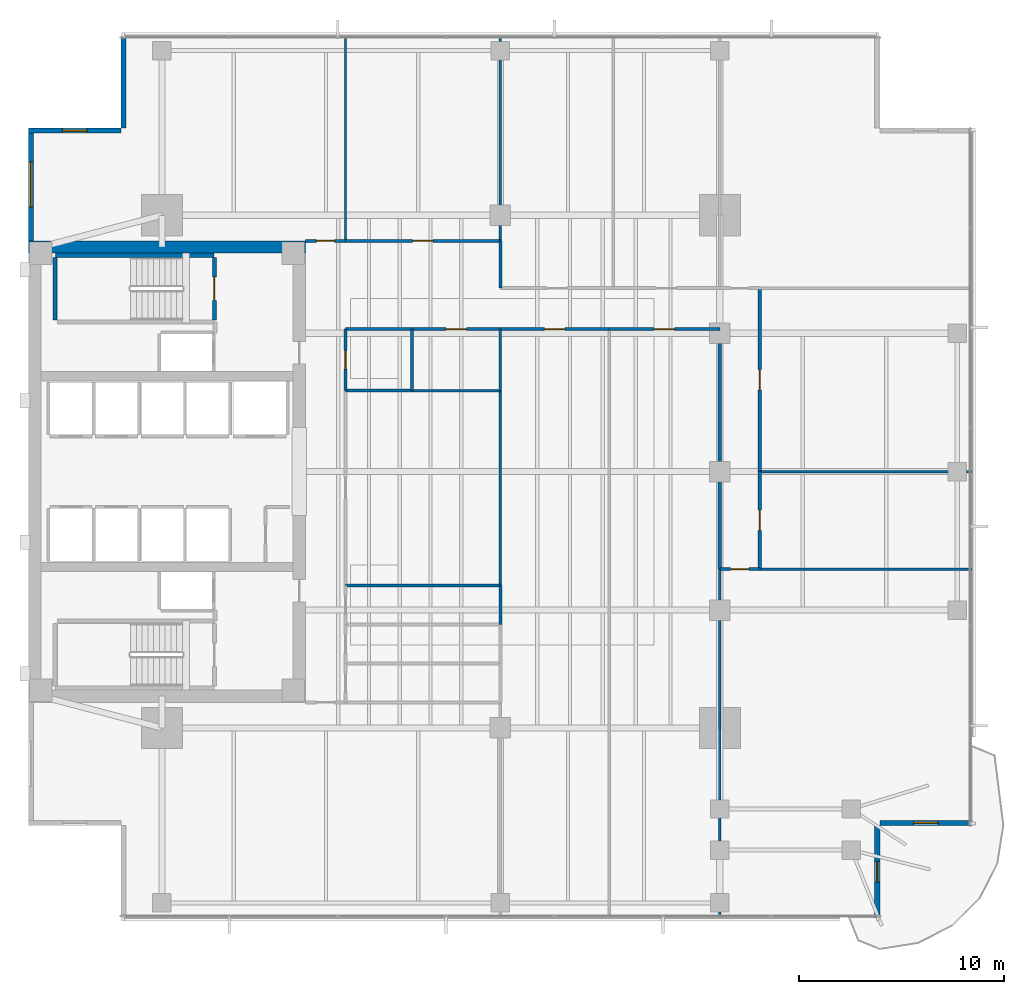
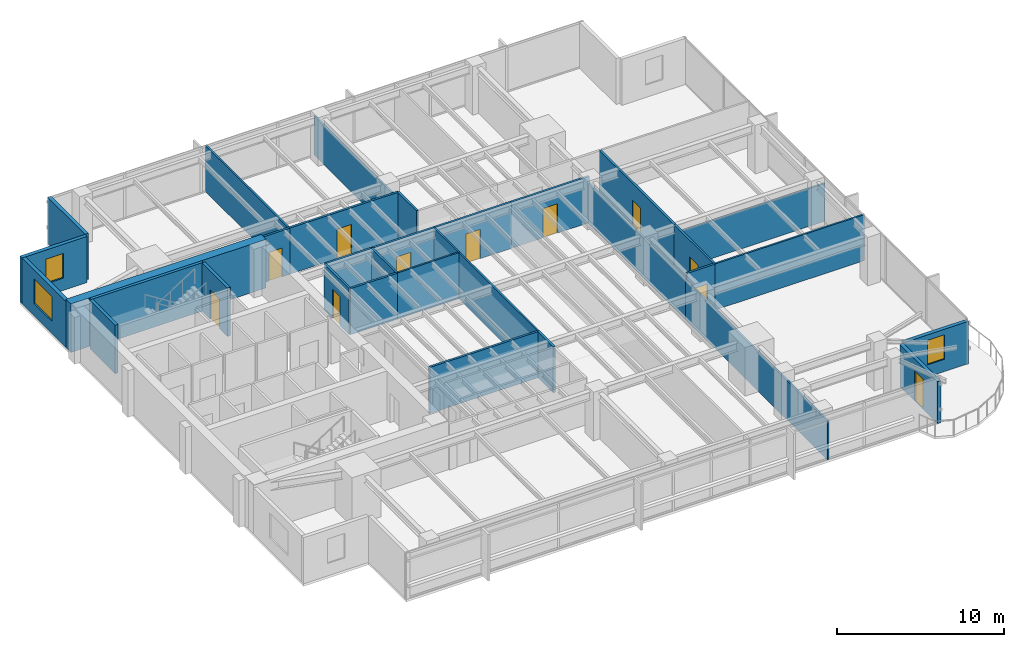
# One storey, part 9 of 14: 33 walls, 11 doors, 3 windows, 14 openings.
"""IFC4 building model written with IfcOpenShell, lengths in metres."""

from ifc_helpers import new_model, si_unit, direction, frame, frame_2d, origin, place, context, subcontext, project, spatial, rectangle, extrude, material, layer, layer_set, type_object, element, fill, save


model = new_model("IFC4")

# Units and contexts
model_context = context("Model", 3, precision=1e-05, world=origin(), true_north=direction((0.0, 1.0)))
body_context = subcontext(model_context, "Body", "Model", "MODEL_VIEW")
ifc_project = project(units=[si_unit("LENGTHUNIT", "METRE"), si_unit("AREAUNIT", "SQUARE_METRE"), si_unit("VOLUMEUNIT", "CUBIC_METRE"), si_unit("PLANEANGLEUNIT", "RADIAN"), si_unit("MASSUNIT", "GRAM", prefix="KILO")], contexts=[model_context])

# Site, building, storey
site_placement = place(None, origin())
site = spatial("IfcSite", under=ifc_project, at=site_placement, CompositionType="ELEMENT")
building_placement = place(site_placement, origin())
building = spatial("IfcBuilding", under=site, at=building_placement, Name="Kinhvarn Gate Tower", CompositionType="ELEMENT")
storey_placement = place(building_placement, frame((0.0, 0.0, 123.550048828125)))
storey = spatial("IfcBuildingStorey", under=building, at=storey_placement, Name="L32", CompositionType="ELEMENT", Elevation=123.550048828125)

# Wall
ifc_material_1 = material(Name="Concrete C60/75", Category="concrete")
ifc_layer_1 = layer(ifc_material_1, 0.60009765625)
ifc_layer_set_1 = layer_set([ifc_layer_1], Name="Concrete C60/75")
wall_type_1 = type_object("IfcWallType", Name="WL-CORE-600", PredefinedType="SHEAR", material=ifc_layer_set_1)
wall_1_placement = place(storey_placement, frame((4.5, 36.199951171875, 0.0), z_axis=(0.0, 0.0, 1.0), x_axis=(1.0, 0.0, 0.0)))
element("IfcWall", 1, at=wall_1_placement, inside=storey, type_object=wall_type_1, Name="Core North Shear Wall L32 600 mm", PredefinedType="SHEAR", context=body_context, shape_type="SweptSolid", body=[
    extrude(rectangle(XDim=13.5, YDim=0.60009765625, at=frame_2d((6.75, 0.0))), origin(), (0.0, 0.0, 1.0), 3.550048828125),
])

# Wall, opening, window
ifc_material_2 = material(Name="Fired architectural terracotta", Category="masonry")
ifc_layer_2 = layer(ifc_material_2, 0.25)
ifc_layer_set_2 = layer_set([ifc_layer_2], Name="Fired architectural terracotta")
wall_type_2 = type_object("IfcWallType", Name="WL-EXT-250", PredefinedType="SOLIDWALL", material=ifc_layer_set_2)
wall_2_placement = place(storey_placement, frame((4.625, 42.0, 0.0), z_axis=(0.0, 0.0, 1.0), x_axis=(0.0, -1.0, 0.0)))
wall_2 = element("IfcWall", 2, at=wall_2_placement, inside=storey, type_object=wall_type_2, Name="Exterior Solidwall Wall EW-250 (L32 West-North)", PredefinedType="SOLIDWALL", context=body_context, shape_type="SweptSolid", body=[
    extrude(rectangle(XDim=5.5, YDim=0.25, at=frame_2d((2.75, 0.0))), origin(), (0.0, 0.0, 1.0), 3.369873046875),
])
opening_1_placement = place(wall_2_placement, frame((1.64990234375, 0.0, 0.89990234375)))
opening_1 = element("IfcOpeningElement", 3, at=opening_1_placement, cuts=wall_2, Name="Opening WN-01", PredefinedType="OPENING", context=body_context, shape_type="SweptSolid", body=[
    extrude(rectangle(XDim=2.199951171875, YDim=1.800048828125, at=frame_2d((1.10009765625, 0.89990234375))), frame((0.0, 0.135009765625, 0.0), z_axis=(0.0, -1.0, 0.0), x_axis=(1.0, 0.0, 0.0)), (0.0, 0.0, 1.0), 0.27001953125),
])
ifc_material_3 = material(Name="Clear low-e double glazing", Category="glass")
window_type_1 = type_object("IfcWindowType", Name="WIN-RIB-2200", PartitioningType="SINGLE_PANEL", PredefinedType="WINDOW", material=ifc_material_3)
window_1_placement = place(opening_1_placement, origin())
window_1 = element("IfcWindow", 4, at=window_1_placement, inside=storey, type_object=window_type_1, Name="West Flank Double-Glazed Ribbon Window 2200x1800 mm (L32)", OverallHeight=1.800048828125, OverallWidth=2.199951171875, PartitioningType="SINGLE_PANEL", PredefinedType="WINDOW", context=body_context, shape_type="SweptSolid", body=[
    extrude(rectangle(XDim=2.199951171875, YDim=1.800048828125, at=frame_2d((1.10009765625, 0.89990234375))), frame((0.0, 0.030029296875, 0.0), z_axis=(0.0, -1.0, 0.0), x_axis=(1.0, 0.0, 0.0)), (0.0, 0.0, 1.0), 0.06005859375),
])
fill(opening_1, window_1)

# Wall, opening, door
wall_3_placement = place(storey_placement, frame((45.875, 3.5, 0.0), z_axis=(0.0, 0.0, 1.0), x_axis=(0.0, 1.0, 0.0)))
wall_3 = element("IfcWall", 5, at=wall_3_placement, inside=storey, type_object=wall_type_2, Name="Exterior Solidwall Wall EW-250 (L32 SE-Notch-Door)", PredefinedType="SOLIDWALL", context=body_context, shape_type="SweptSolid", body=[
    extrude(rectangle(XDim=4.5, YDim=0.25, at=frame_2d((2.25, 0.0))), origin(), (0.0, 0.0, 1.0), 3.070068359375),
])
opening_2_placement = place(wall_3_placement, frame((1.75, 0.0, 0.0)))
opening_2 = element("IfcOpeningElement", 6, at=opening_2_placement, cuts=wall_3, Name="Opening BD-01", PredefinedType="OPENING", context=body_context, shape_type="SweptSolid", body=[
    extrude(rectangle(XDim=1.0, YDim=2.199951171875, at=frame_2d((0.5, 1.10009765625))), frame((0.0, 0.135009765625, 0.0), z_axis=(0.0, -1.0, 0.0), x_axis=(1.0, 0.0, 0.0)), (0.0, 0.0, 1.0), 0.27001953125),
])
door_type_1 = type_object("IfcDoorType", Name="DR-BAL-1000", OperationType="NOTDEFINED", PredefinedType="DOOR", material=ifc_material_3)
door_1_placement = place(opening_2_placement, frame((1.0, 0.0, 0.0), z_axis=(0.0, 0.0, 1.0), x_axis=(-1.0, 0.0, 0.0)))
door_1 = element("IfcDoor", 7, at=door_1_placement, inside=storey, type_object=door_type_1, Name="S-Carve Balcony Door BD-01 (L32)", OperationType="SINGLE_SWING_LEFT", OverallHeight=2.199951171875, OverallWidth=1.0, PredefinedType="DOOR", context=body_context, shape_type="SweptSolid", body=[
    extrude(rectangle(XDim=1.0, YDim=2.199951171875, at=frame_2d((0.5, 1.10009765625))), frame((0.0, 0.02490234375, 0.0), z_axis=(0.0, -1.0, 0.0), x_axis=(1.0, 0.0, 0.0)), (0.0, 0.0, 1.0), 0.050048828125),
])
fill(opening_2, door_1)

# Wall, opening, window
wall_4_placement = place(storey_placement, frame((46.0, 8.125, 0.0), z_axis=(0.0, 0.0, 1.0), x_axis=(1.0, 0.0, 0.0)))
wall_4 = element("IfcWall", 8, at=wall_4_placement, inside=storey, type_object=wall_type_2, Name="Exterior Solidwall Wall EW-250 (L32 SE-Notch-Win)", PredefinedType="SOLIDWALL", context=body_context, shape_type="SweptSolid", body=[
    extrude(rectangle(XDim=4.5, YDim=0.25, at=frame_2d((2.25, 0.0))), origin(), (0.0, 0.0, 1.0), 3.099853515625),
])
opening_3_placement = place(wall_4_placement, frame((1.64990234375, 0.0, 0.89990234375)))
opening_3 = element("IfcOpeningElement", 9, at=opening_3_placement, cuts=wall_4, Name="Opening WN-02", PredefinedType="OPENING", context=body_context, shape_type="SweptSolid", body=[
    extrude(rectangle(XDim=1.199951171875, YDim=1.800048828125, at=frame_2d((0.60009765625, 0.89990234375))), frame((0.0, 0.135009765625, 0.0), z_axis=(0.0, -1.0, 0.0), x_axis=(1.0, 0.0, 0.0)), (0.0, 0.0, 1.0), 0.27001953125),
])
window_type_2 = type_object("IfcWindowType", Name="WIN-NTC-1200", PartitioningType="SINGLE_PANEL", PredefinedType="WINDOW", material=ifc_material_3)
window_2_placement = place(opening_3_placement, origin())
window_2 = element("IfcWindow", 10, at=window_2_placement, inside=storey, type_object=window_type_2, Name="Recessed Corner Notch Punched Window 1200x1800 mm (L32)", OverallHeight=1.800048828125, OverallWidth=1.199951171875, PartitioningType="SINGLE_PANEL", PredefinedType="WINDOW", context=body_context, shape_type="SweptSolid", body=[
    extrude(rectangle(XDim=1.199951171875, YDim=1.800048828125, at=frame_2d((0.60009765625, 0.89990234375))), frame((0.0, 0.030029296875, 0.0), z_axis=(0.0, -1.0, 0.0), x_axis=(1.0, 0.0, 0.0)), (0.0, 0.0, 1.0), 0.06005859375),
])
fill(opening_3, window_2)

# Wall
wall_5_placement = place(storey_placement, frame((9.125, 46.5, 0.0), z_axis=(0.0, 0.0, 1.0), x_axis=(0.0, -1.0, 0.0)))
element("IfcWall", 11, at=wall_5_placement, inside=storey, type_object=wall_type_2, Name="Exterior Solidwall Wall EW-250 (L32 NW-Notch-1)", PredefinedType="SOLIDWALL", context=body_context, shape_type="SweptSolid", body=[
    extrude(rectangle(XDim=4.5, YDim=0.25, at=frame_2d((2.25, 0.0))), origin(), (0.0, 0.0, 1.0), 3.369873046875),
])

# Wall, opening, window
wall_6_placement = place(storey_placement, frame((9.0, 41.875, 0.0), z_axis=(0.0, 0.0, 1.0), x_axis=(-1.0, 0.0, 0.0)))
wall_6 = element("IfcWall", 12, at=wall_6_placement, inside=storey, type_object=wall_type_2, Name="Exterior Solidwall Wall EW-250 (L32 NW-Notch-2)", PredefinedType="SOLIDWALL", context=body_context, shape_type="SweptSolid", body=[
    extrude(rectangle(XDim=4.5, YDim=0.25, at=frame_2d((2.25, 0.0))), origin(), (0.0, 0.0, 1.0), 3.369873046875),
])
opening_4_placement = place(wall_6_placement, frame((1.64990234375, 0.0, 0.89990234375)))
opening_4 = element("IfcOpeningElement", 13, at=opening_4_placement, cuts=wall_6, Name="Opening WN-02", PredefinedType="OPENING", context=body_context, shape_type="SweptSolid", body=[
    extrude(rectangle(XDim=1.199951171875, YDim=1.800048828125, at=frame_2d((0.60009765625, 0.89990234375))), frame((0.0, 0.135009765625, 0.0), z_axis=(0.0, -1.0, 0.0), x_axis=(1.0, 0.0, 0.0)), (0.0, 0.0, 1.0), 0.27001953125),
])
window_3_placement = place(opening_4_placement, origin())
window_3 = element("IfcWindow", 14, at=window_3_placement, inside=storey, type_object=window_type_2, Name="Recessed Corner Notch Punched Window 1200x1800 mm (L32)", OverallHeight=1.800048828125, OverallWidth=1.199951171875, PartitioningType="SINGLE_PANEL", PredefinedType="WINDOW", context=body_context, shape_type="SweptSolid", body=[
    extrude(rectangle(XDim=1.199951171875, YDim=1.800048828125, at=frame_2d((0.60009765625, 0.89990234375))), frame((0.0, 0.030029296875, 0.0), z_axis=(0.0, -1.0, 0.0), x_axis=(1.0, 0.0, 0.0)), (0.0, 0.0, 1.0), 0.06005859375),
])
fill(opening_4, window_3)

# Walls
ifc_material_4 = material(Name="Gypsum acoustic partition board")
ifc_layer_3 = layer(ifc_material_4, 0.14990234375)
ifc_layer_set_3 = layer_set([ifc_layer_3], Name="Gypsum acoustic partition board")
wall_type_3 = type_object("IfcWallType", Name="WL-PLM-150", PredefinedType="PLUMBINGWALL", material=ifc_layer_set_3)
wall_7_placement = place(storey_placement, frame((23.199951171875, 29.199951171875, 0.0), z_axis=(0.0, 0.0, 1.0), x_axis=(0.0, 1.0, 0.0)))
element("IfcWall", 15, at=wall_7_placement, inside=storey, type_object=wall_type_3, Name="Interior Partition PLW-150 (L32)", PredefinedType="PLUMBINGWALL", context=body_context, shape_type="SweptSolid", body=[
    extrude(rectangle(XDim=3.0, YDim=0.14990234375, at=frame_2d((1.5, 0.0))), origin(), (0.0, 0.0, 1.0), 3.369873046875),
])
wall_8_placement = place(storey_placement, frame((19.949951171875, 29.199951171875, 0.0), z_axis=(0.0, 0.0, 1.0), x_axis=(1.0, 0.0, 0.0)))
element("IfcWall", 16, at=wall_8_placement, inside=storey, type_object=wall_type_3, Name="Interior Partition PLW-150 (L32)", PredefinedType="PLUMBINGWALL", context=body_context, shape_type="SweptSolid", body=[
    extrude(rectangle(XDim=3.25, YDim=0.14990234375, at=frame_2d((1.625, 0.0))), origin(), (0.0, 0.0, 1.0), 3.369873046875),
])
wall_9_placement = place(storey_placement, frame((19.949951171875, 19.699951171875, 0.0), z_axis=(0.0, 0.0, 1.0), x_axis=(1.0, 0.0, 0.0)))
element("IfcWall", 17, at=wall_9_placement, inside=storey, type_object=wall_type_3, Name="Interior Partition PLW-150 (L32)", PredefinedType="PLUMBINGWALL", context=body_context, shape_type="SweptSolid", body=[
    extrude(rectangle(XDim=7.550048828125, YDim=0.14990234375, at=frame_2d((3.77490234375, 0.0))), origin(), (0.0, 0.0, 1.0), 3.369873046875),
])
wall_10_placement = place(storey_placement, frame((27.5, 17.800048828125, 0.0), z_axis=(0.0, 0.0, 1.0), x_axis=(0.0, 1.0, 0.0)))
element("IfcWall", 18, at=wall_10_placement, inside=storey, type_object=wall_type_3, Name="Interior Partition PLW-150 (L32)", PredefinedType="PLUMBINGWALL", context=body_context, shape_type="SweptSolid", body=[
    extrude(rectangle(XDim=1.89990234375, YDim=0.14990234375, at=frame_2d((0.949951171875, 0.0))), origin(), (0.0, 0.0, 1.0), 3.369873046875),
])

# Wall, opening, door
ifc_layer_4 = layer(ifc_material_4, 0.14990234375)
ifc_layer_set_4 = layer_set([ifc_layer_4], Name="Gypsum acoustic partition board")
wall_type_4 = type_object("IfcWallType", Name="WL-PLM-150F", PredefinedType="PLUMBINGWALL", material=ifc_layer_set_4)
wall_11_placement = place(storey_placement, frame((19.949951171875, 29.199951171875, 0.0), z_axis=(0.0, 0.0, 1.0), x_axis=(0.0, 1.0, 0.0)))
wall_11 = element("IfcWall", 19, at=wall_11_placement, inside=storey, type_object=wall_type_4, Name="Interior Partition PLW-150F (L32)", PredefinedType="PLUMBINGWALL", context=body_context, shape_type="SweptSolid", body=[
    extrude(rectangle(XDim=3.0, YDim=0.14990234375, at=frame_2d((1.5, 0.0))), origin(), (0.0, 0.0, 1.0), 3.369873046875),
])
opening_5_placement = place(wall_11_placement, frame((1.050048828125, 0.0, 0.0)))
opening_5 = element("IfcOpeningElement", 20, at=opening_5_placement, cuts=wall_11, Name="Opening FD-04", PredefinedType="OPENING", context=body_context, shape_type="SweptSolid", body=[
    extrude(rectangle(XDim=0.89990234375, YDim=2.10009765625, at=frame_2d((0.449951171875, 1.050048828125))), frame((0.0, 0.0849609375, 0.0), z_axis=(0.0, -1.0, 0.0), x_axis=(1.0, 0.0, 0.0)), (0.0, 0.0, 1.0), 0.169921875),
])
ifc_material_5 = material(Name="Anodised aluminium AW-6063", Category="aluminium")
door_type_2 = type_object("IfcDoorType", Name="DR-FD-900", OperationType="NOTDEFINED", PredefinedType="DOOR", material=ifc_material_5)
door_2_placement = place(opening_5_placement, origin())
door_2 = element("IfcDoor", 21, at=door_2_placement, inside=storey, type_object=door_type_2, Name="Rated Riser & Service Closet Fire Door 900x2100 mm (L32)", OperationType="SINGLE_SWING_RIGHT", OverallHeight=2.10009765625, OverallWidth=0.89990234375, PredefinedType="DOOR", context=body_context, shape_type="SweptSolid", body=[
    extrude(rectangle(XDim=0.89990234375, YDim=2.10009765625, at=frame_2d((0.449951171875, 1.050048828125))), frame((0.0, 0.02490234375, 0.0), z_axis=(0.0, -1.0, 0.0), x_axis=(1.0, 0.0, 0.0)), (0.0, 0.0, 1.0), 0.050048828125),
])
fill(opening_5, door_2)

# Walls
wall_12_placement = place(storey_placement, frame((19.949951171875, 32.199951171875, 0.0), z_axis=(0.0, 0.0, 1.0), x_axis=(1.0, 0.0, 0.0)))
element("IfcWall", 22, at=wall_12_placement, inside=storey, type_object=wall_type_4, Name="Interior Partition PLW-150F (L32)", PredefinedType="PLUMBINGWALL", context=body_context, shape_type="SweptSolid", body=[
    extrude(rectangle(XDim=3.25, YDim=0.14990234375, at=frame_2d((1.625, 0.0))), origin(), (0.0, 0.0, 1.0), 3.369873046875),
])
ifc_layer_5 = layer(ifc_material_4, 0.1201171875)
ifc_layer_set_5 = layer_set([ifc_layer_5], Name="Gypsum acoustic partition board")
wall_type_5 = type_object("IfcWallType", Name="WL-PRT-120", PredefinedType="PARTITIONING", material=ifc_layer_set_5)
wall_13_placement = place(storey_placement, frame((23.199951171875, 29.199951171875, 0.0), z_axis=(0.0, 0.0, 1.0), x_axis=(1.0, 0.0, 0.0)))
element("IfcWall", 23, at=wall_13_placement, inside=storey, type_object=wall_type_5, Name="Interior Partition PW-120 (L32)", PredefinedType="PARTITIONING", context=body_context, shape_type="SweptSolid", body=[
    extrude(rectangle(XDim=4.300048828125, YDim=0.1201171875, at=frame_2d((2.14990234375, 0.0))), origin(), (0.0, 0.0, 1.0), 3.369873046875),
])
wall_14_placement = place(storey_placement, frame((27.5, 29.199951171875, 0.0), z_axis=(0.0, 0.0, 1.0), x_axis=(0.0, 1.0, 0.0)))
element("IfcWall", 24, at=wall_14_placement, inside=storey, type_object=wall_type_5, Name="Interior Partition PW-120 (L32)", PredefinedType="PARTITIONING", context=body_context, shape_type="SweptSolid", body=[
    extrude(rectangle(XDim=3.0, YDim=0.1201171875, at=frame_2d((1.5, 0.0))), origin(), (0.0, 0.0, 1.0), 3.369873046875),
])
wall_15_placement = place(storey_placement, frame((27.5, 19.699951171875, 0.0), z_axis=(0.0, 0.0, 1.0), x_axis=(0.0, 1.0, 0.0)))
element("IfcWall", 25, at=wall_15_placement, inside=storey, type_object=wall_type_5, Name="Interior Partition PW-120 (L32)", PredefinedType="PARTITIONING", context=body_context, shape_type="SweptSolid", body=[
    extrude(rectangle(XDim=9.5, YDim=0.1201171875, at=frame_2d((4.75, 0.0))), origin(), (0.0, 0.0, 1.0), 3.369873046875),
])
wall_16_placement = place(storey_placement, frame((38.199951171875, 3.510009765625, 0.0), z_axis=(0.0, 0.0, 1.0), x_axis=(0.0, 1.0, 0.0)))
element("IfcWall", 26, at=wall_16_placement, inside=storey, type_object=wall_type_5, Name="Interior Partition PW-120 (L32)", PredefinedType="PARTITIONING", context=body_context, shape_type="SweptSolid", body=[
    extrude(rectangle(XDim=16.989990234375, YDim=0.1201171875, at=frame_2d((8.4951171875, 0.0))), origin(), (0.0, 0.0, 1.0), 2.869873046875),
])
wall_17_placement = place(storey_placement, frame((19.949951171875, 36.5, 0.0), z_axis=(0.0, 0.0, 1.0), x_axis=(0.0, 1.0, 0.0)))
element("IfcWall", 27, at=wall_17_placement, inside=storey, type_object=wall_type_5, Name="Interior Partition PW-120 (L32)", PredefinedType="PARTITIONING", context=body_context, shape_type="SweptSolid", body=[
    extrude(rectangle(XDim=9.989990234375, YDim=0.1201171875, at=frame_2d((4.9951171875, 0.0))), origin(), (0.0, 0.0, 1.0), 3.369873046875),
])
wall_18_placement = place(storey_placement, frame((27.5, 36.5, 0.0), z_axis=(0.0, 0.0, 1.0), x_axis=(0.0, 1.0, 0.0)))
element("IfcWall", 28, at=wall_18_placement, inside=storey, type_object=wall_type_5, Name="Interior Partition PW-120 (L32)", PredefinedType="PARTITIONING", context=body_context, shape_type="SweptSolid", body=[
    extrude(rectangle(XDim=9.989990234375, YDim=0.1201171875, at=frame_2d((4.9951171875, 0.0))), origin(), (0.0, 0.0, 1.0), 2.869873046875),
])
wall_19_placement = place(storey_placement, frame((40.14990234375, 20.5, 0.0), z_axis=(0.0, 0.0, 1.0), x_axis=(1.0, 0.0, 0.0)))
element("IfcWall", 29, at=wall_19_placement, inside=storey, type_object=wall_type_5, Name="Interior Partition PW-120 (L32)", PredefinedType="PARTITIONING", context=body_context, shape_type="SweptSolid", body=[
    extrude(rectangle(XDim=10.340087890625, YDim=0.1201171875, at=frame_2d((5.169921875, 0.0))), origin(), (0.0, 0.0, 1.0), 3.369873046875),
])
wall_20_placement = place(storey_placement, frame((40.14990234375, 25.25, 0.0), z_axis=(0.0, 0.0, 1.0), x_axis=(1.0, 0.0, 0.0)))
element("IfcWall", 30, at=wall_20_placement, inside=storey, type_object=wall_type_5, Name="Interior Partition PW-120 (L32)", PredefinedType="PARTITIONING", context=body_context, shape_type="SweptSolid", body=[
    extrude(rectangle(XDim=10.340087890625, YDim=0.1201171875, at=frame_2d((5.169921875, 0.0))), origin(), (0.0, 0.0, 1.0), 2.77001953125),
])

# Wall, opening, door
ifc_layer_6 = layer(ifc_material_4, 0.14990234375)
ifc_layer_set_6 = layer_set([ifc_layer_6], Name="Gypsum acoustic partition board")
wall_type_6 = type_object("IfcWallType", Name="WL-PRT-150F", PredefinedType="PARTITIONING", material=ifc_layer_set_6)
wall_21_placement = place(storey_placement, frame((18.0, 36.5, 0.0), z_axis=(0.0, 0.0, 1.0), x_axis=(1.0, 0.0, 0.0)))
wall_21 = element("IfcWall", 31, at=wall_21_placement, inside=storey, type_object=wall_type_6, Name="Interior Partition PW-150F (L32)", PredefinedType="PARTITIONING", context=body_context, shape_type="SweptSolid", body=[
    extrude(rectangle(XDim=1.949951171875, YDim=0.14990234375, at=frame_2d((0.97509765625, 0.0))), origin(), (0.0, 0.0, 1.0), 3.369873046875),
])
opening_6_placement = place(wall_21_placement, frame((0.52490234375, 0.0, 0.0)))
opening_6 = element("IfcOpeningElement", 32, at=opening_6_placement, cuts=wall_21, Name="Opening ID-03", PredefinedType="OPENING", context=body_context, shape_type="SweptSolid", body=[
    extrude(rectangle(XDim=0.89990234375, YDim=2.10009765625, at=frame_2d((0.449951171875, 1.050048828125))), frame((0.0, 0.0849609375, 0.0), z_axis=(0.0, -1.0, 0.0), x_axis=(1.0, 0.0, 0.0)), (0.0, 0.0, 1.0), 0.169921875),
])
door_type_3 = type_object("IfcDoorType", Name="DR-INT-900", OperationType="NOTDEFINED", PredefinedType="DOOR", material=ifc_material_5)
door_3_placement = place(opening_6_placement, origin())
door_3 = element("IfcDoor", 33, at=door_3_placement, inside=storey, type_object=door_type_3, Name="Cellular Office & Restroom Door 900x2100 mm (L32)", OperationType="SINGLE_SWING_RIGHT", OverallHeight=2.10009765625, OverallWidth=0.89990234375, PredefinedType="DOOR", context=body_context, shape_type="SweptSolid", body=[
    extrude(rectangle(XDim=0.89990234375, YDim=2.10009765625, at=frame_2d((0.449951171875, 1.050048828125))), frame((0.0, 0.02490234375, 0.0), z_axis=(0.0, -1.0, 0.0), x_axis=(1.0, 0.0, 0.0)), (0.0, 0.0, 1.0), 0.050048828125),
])
fill(opening_6, door_3)

wall_22_placement = place(storey_placement, frame((23.199951171875, 32.199951171875, 0.0), z_axis=(0.0, 0.0, 1.0), x_axis=(1.0, 0.0, 0.0)))
wall_22 = element("IfcWall", 34, at=wall_22_placement, inside=storey, type_object=wall_type_6, Name="Interior Partition PW-150F (L32)", PredefinedType="PARTITIONING", context=body_context, shape_type="SweptSolid", body=[
    extrude(rectangle(XDim=4.300048828125, YDim=0.14990234375, at=frame_2d((2.14990234375, 0.0))), origin(), (0.0, 0.0, 1.0), 3.369873046875),
])
opening_7_placement = place(wall_22_placement, frame((1.64990234375, 0.0, 0.0)))
opening_7 = element("IfcOpeningElement", 35, at=opening_7_placement, cuts=wall_22, Name="Opening ID-02", PredefinedType="OPENING", context=body_context, shape_type="SweptSolid", body=[
    extrude(rectangle(XDim=1.0, YDim=2.14990234375, at=frame_2d((0.5, 1.074951171875))), frame((0.0, 0.0849609375, 0.0), z_axis=(0.0, -1.0, 0.0), x_axis=(1.0, 0.0, 0.0)), (0.0, 0.0, 1.0), 0.169921875),
])
door_type_4 = type_object("IfcDoorType", Name="DR-INT-1000", OperationType="NOTDEFINED", PredefinedType="DOOR", material=ifc_material_5)
door_4_placement = place(opening_7_placement, origin())
door_4 = element("IfcDoor", 36, at=door_4_placement, inside=storey, type_object=door_type_4, Name="Standard Office & Meeting Room Door 1000x2150 mm (L32)", OperationType="SINGLE_SWING_LEFT", OverallHeight=2.14990234375, OverallWidth=1.0, PredefinedType="DOOR", context=body_context, shape_type="SweptSolid", body=[
    extrude(rectangle(XDim=1.0, YDim=2.14990234375, at=frame_2d((0.5, 1.074951171875))), frame((0.0, 0.02490234375, 0.0), z_axis=(0.0, -1.0, 0.0), x_axis=(1.0, 0.0, 0.0)), (0.0, 0.0, 1.0), 0.050048828125),
])
fill(opening_7, door_4)

wall_23_placement = place(storey_placement, frame((27.5, 32.199951171875, 0.0), z_axis=(0.0, 0.0, 1.0), x_axis=(1.0, 0.0, 0.0)))
wall_23 = element("IfcWall", 37, at=wall_23_placement, inside=storey, type_object=wall_type_6, Name="Interior Partition PW-150F (L32)", PredefinedType="PARTITIONING", context=body_context, shape_type="SweptSolid", body=[
    extrude(rectangle(XDim=5.300048828125, YDim=0.14990234375, at=frame_2d((2.64990234375, 0.0))), origin(), (0.0, 0.0, 1.0), 3.369873046875),
])
opening_8_placement = place(wall_23_placement, frame((2.14990234375, 0.0, 0.0)))
opening_8 = element("IfcOpeningElement", 38, at=opening_8_placement, cuts=wall_23, Name="Opening ID-02", PredefinedType="OPENING", context=body_context, shape_type="SweptSolid", body=[
    extrude(rectangle(XDim=1.0, YDim=2.14990234375, at=frame_2d((0.5, 1.074951171875))), frame((0.0, 0.0849609375, 0.0), z_axis=(0.0, -1.0, 0.0), x_axis=(1.0, 0.0, 0.0)), (0.0, 0.0, 1.0), 0.169921875),
])
door_5_placement = place(opening_8_placement, origin())
door_5 = element("IfcDoor", 39, at=door_5_placement, inside=storey, type_object=door_type_4, Name="Standard Office & Meeting Room Door 1000x2150 mm (L32)", OperationType="SINGLE_SWING_RIGHT", OverallHeight=2.14990234375, OverallWidth=1.0, PredefinedType="DOOR", context=body_context, shape_type="SweptSolid", body=[
    extrude(rectangle(XDim=1.0, YDim=2.14990234375, at=frame_2d((0.5, 1.074951171875))), frame((0.0, 0.02490234375, 0.0), z_axis=(0.0, -1.0, 0.0), x_axis=(1.0, 0.0, 0.0)), (0.0, 0.0, 1.0), 0.050048828125),
])
fill(opening_8, door_5)

wall_24_placement = place(storey_placement, frame((32.800048828125, 32.199951171875, 0.0), z_axis=(0.0, 0.0, 1.0), x_axis=(1.0, 0.0, 0.0)))
wall_24 = element("IfcWall", 40, at=wall_24_placement, inside=storey, type_object=wall_type_6, Name="Interior Partition PW-150F (L32)", PredefinedType="PARTITIONING", context=body_context, shape_type="SweptSolid", body=[
    extrude(rectangle(XDim=5.39990234375, YDim=0.14990234375, at=frame_2d((2.699951171875, 0.0))), origin(), (0.0, 0.0, 1.0), 3.369873046875),
])
opening_9_placement = place(wall_24_placement, frame((2.199951171875, 0.0, 0.0)))
opening_9 = element("IfcOpeningElement", 41, at=opening_9_placement, cuts=wall_24, Name="Opening ID-02", PredefinedType="OPENING", context=body_context, shape_type="SweptSolid", body=[
    extrude(rectangle(XDim=1.0, YDim=2.14990234375, at=frame_2d((0.5, 1.074951171875))), frame((0.0, 0.0849609375, 0.0), z_axis=(0.0, -1.0, 0.0), x_axis=(1.0, 0.0, 0.0)), (0.0, 0.0, 1.0), 0.169921875),
])
door_6_placement = place(opening_9_placement, origin())
door_6 = element("IfcDoor", 42, at=door_6_placement, inside=storey, type_object=door_type_4, Name="Standard Office & Meeting Room Door 1000x2150 mm (L32)", OperationType="SINGLE_SWING_LEFT", OverallHeight=2.14990234375, OverallWidth=1.0, PredefinedType="DOOR", context=body_context, shape_type="SweptSolid", body=[
    extrude(rectangle(XDim=1.0, YDim=2.14990234375, at=frame_2d((0.5, 1.074951171875))), frame((0.0, 0.02490234375, 0.0), z_axis=(0.0, -1.0, 0.0), x_axis=(1.0, 0.0, 0.0)), (0.0, 0.0, 1.0), 0.050048828125),
])
fill(opening_9, door_6)

wall_25_placement = place(storey_placement, frame((19.949951171875, 36.5, 0.0), z_axis=(0.0, 0.0, 1.0), x_axis=(1.0, 0.0, 0.0)))
wall_25 = element("IfcWall", 43, at=wall_25_placement, inside=storey, type_object=wall_type_6, Name="Interior Partition PW-150F (L32)", PredefinedType="PARTITIONING", context=body_context, shape_type="SweptSolid", body=[
    extrude(rectangle(XDim=7.550048828125, YDim=0.14990234375, at=frame_2d((3.77490234375, 0.0))), origin(), (0.0, 0.0, 1.0), 3.369873046875),
])
opening_10_placement = place(wall_25_placement, frame((3.27490234375, 0.0, 0.0)))
opening_10 = element("IfcOpeningElement", 44, at=opening_10_placement, cuts=wall_25, Name="Opening ID-02", PredefinedType="OPENING", context=body_context, shape_type="SweptSolid", body=[
    extrude(rectangle(XDim=1.0, YDim=2.14990234375, at=frame_2d((0.5, 1.074951171875))), frame((0.0, 0.0849609375, 0.0), z_axis=(0.0, -1.0, 0.0), x_axis=(1.0, 0.0, 0.0)), (0.0, 0.0, 1.0), 0.169921875),
])
door_7_placement = place(opening_10_placement, origin())
door_7 = element("IfcDoor", 45, at=door_7_placement, inside=storey, type_object=door_type_4, Name="Standard Office & Meeting Room Door 1000x2150 mm (L32)", OperationType="SINGLE_SWING_RIGHT", OverallHeight=2.14990234375, OverallWidth=1.0, PredefinedType="DOOR", context=body_context, shape_type="SweptSolid", body=[
    extrude(rectangle(XDim=1.0, YDim=2.14990234375, at=frame_2d((0.5, 1.074951171875))), frame((0.0, 0.02490234375, 0.0), z_axis=(0.0, -1.0, 0.0), x_axis=(1.0, 0.0, 0.0)), (0.0, 0.0, 1.0), 0.050048828125),
])
fill(opening_10, door_7)

# Walls
wall_26_placement = place(storey_placement, frame((27.5, 34.199951171875, 0.0), z_axis=(0.0, 0.0, 1.0), x_axis=(0.0, 1.0, 0.0)))
element("IfcWall", 46, at=wall_26_placement, inside=storey, type_object=wall_type_6, Name="Interior Partition PW-150F (L32)", PredefinedType="PARTITIONING", context=body_context, shape_type="SweptSolid", body=[
    extrude(rectangle(XDim=2.300048828125, YDim=0.14990234375, at=frame_2d((1.14990234375, 0.0))), origin(), (0.0, 0.0, 1.0), 3.369873046875),
])
wall_27_placement = place(storey_placement, frame((38.199951171875, 20.5, 0.0), z_axis=(0.0, 0.0, 1.0), x_axis=(0.0, 1.0, 0.0)))
element("IfcWall", 47, at=wall_27_placement, inside=storey, type_object=wall_type_6, Name="Interior Partition PW-150F (L32)", PredefinedType="PARTITIONING", context=body_context, shape_type="SweptSolid", body=[
    extrude(rectangle(XDim=11.699951171875, YDim=0.14990234375, at=frame_2d((5.85009765625, 0.0))), origin(), (0.0, 0.0, 1.0), 2.869873046875),
])

# Wall, opening, door
wall_28_placement = place(storey_placement, frame((38.199951171875, 20.5, 0.0), z_axis=(0.0, 0.0, 1.0), x_axis=(1.0, 0.0, 0.0)))
wall_28 = element("IfcWall", 48, at=wall_28_placement, inside=storey, type_object=wall_type_6, Name="Interior Partition PW-150F (L32)", PredefinedType="PARTITIONING", context=body_context, shape_type="SweptSolid", body=[
    extrude(rectangle(XDim=1.949951171875, YDim=0.14990234375, at=frame_2d((0.97509765625, 0.0))), origin(), (0.0, 0.0, 1.0), 3.369873046875),
])
opening_11_placement = place(wall_28_placement, frame((0.52490234375, 0.0, 0.0)))
opening_11 = element("IfcOpeningElement", 49, at=opening_11_placement, cuts=wall_28, Name="Opening ID-03", PredefinedType="OPENING", context=body_context, shape_type="SweptSolid", body=[
    extrude(rectangle(XDim=0.89990234375, YDim=2.10009765625, at=frame_2d((0.449951171875, 1.050048828125))), frame((0.0, 0.0849609375, 0.0), z_axis=(0.0, -1.0, 0.0), x_axis=(1.0, 0.0, 0.0)), (0.0, 0.0, 1.0), 0.169921875),
])
door_8_placement = place(opening_11_placement, origin())
door_8 = element("IfcDoor", 50, at=door_8_placement, inside=storey, type_object=door_type_3, Name="Cellular Office & Restroom Door 900x2100 mm (L32)", OperationType="SINGLE_SWING_LEFT", OverallHeight=2.10009765625, OverallWidth=0.89990234375, PredefinedType="DOOR", context=body_context, shape_type="SweptSolid", body=[
    extrude(rectangle(XDim=0.89990234375, YDim=2.10009765625, at=frame_2d((0.449951171875, 1.050048828125))), frame((0.0, 0.02490234375, 0.0), z_axis=(0.0, -1.0, 0.0), x_axis=(1.0, 0.0, 0.0)), (0.0, 0.0, 1.0), 0.050048828125),
])
fill(opening_11, door_8)

wall_29_placement = place(storey_placement, frame((40.14990234375, 20.5, 0.0), z_axis=(0.0, 0.0, 1.0), x_axis=(0.0, 1.0, 0.0)))
wall_29 = element("IfcWall", 51, at=wall_29_placement, inside=storey, type_object=wall_type_6, Name="Interior Partition PW-150F (L32)", PredefinedType="PARTITIONING", context=body_context, shape_type="SweptSolid", body=[
    extrude(rectangle(XDim=4.75, YDim=0.14990234375, at=frame_2d((2.375, 0.0))), origin(), (0.0, 0.0, 1.0), 3.369873046875),
])
opening_12_placement = place(wall_29_placement, frame((1.875, 0.0, 0.0)))
opening_12 = element("IfcOpeningElement", 52, at=opening_12_placement, cuts=wall_29, Name="Opening ID-02", PredefinedType="OPENING", context=body_context, shape_type="SweptSolid", body=[
    extrude(rectangle(XDim=1.0, YDim=2.14990234375, at=frame_2d((0.5, 1.074951171875))), frame((0.0, 0.0849609375, 0.0), z_axis=(0.0, -1.0, 0.0), x_axis=(1.0, 0.0, 0.0)), (0.0, 0.0, 1.0), 0.169921875),
])
door_9_placement = place(opening_12_placement, origin())
door_9 = element("IfcDoor", 53, at=door_9_placement, inside=storey, type_object=door_type_4, Name="Standard Office & Meeting Room Door 1000x2150 mm (L32)", OperationType="SINGLE_SWING_RIGHT", OverallHeight=2.14990234375, OverallWidth=1.0, PredefinedType="DOOR", context=body_context, shape_type="SweptSolid", body=[
    extrude(rectangle(XDim=1.0, YDim=2.14990234375, at=frame_2d((0.5, 1.074951171875))), frame((0.0, 0.02490234375, 0.0), z_axis=(0.0, -1.0, 0.0), x_axis=(1.0, 0.0, 0.0)), (0.0, 0.0, 1.0), 0.050048828125),
])
fill(opening_12, door_9)

wall_30_placement = place(storey_placement, frame((40.14990234375, 25.25, 0.0), z_axis=(0.0, 0.0, 1.0), x_axis=(0.0, 1.0, 0.0)))
wall_30 = element("IfcWall", 54, at=wall_30_placement, inside=storey, type_object=wall_type_6, Name="Interior Partition PW-150F (L32)", PredefinedType="PARTITIONING", context=body_context, shape_type="SweptSolid", body=[
    extrude(rectangle(XDim=8.949951171875, YDim=0.14990234375, at=frame_2d((4.47509765625, 0.0))), origin(), (0.0, 0.0, 1.0), 3.369873046875),
])
opening_13_placement = place(wall_30_placement, frame((3.97509765625, 0.0, 0.0)))
opening_13 = element("IfcOpeningElement", 55, at=opening_13_placement, cuts=wall_30, Name="Opening ID-02", PredefinedType="OPENING", context=body_context, shape_type="SweptSolid", body=[
    extrude(rectangle(XDim=1.0, YDim=2.14990234375, at=frame_2d((0.5, 1.074951171875))), frame((0.0, 0.0849609375, 0.0), z_axis=(0.0, -1.0, 0.0), x_axis=(1.0, 0.0, 0.0)), (0.0, 0.0, 1.0), 0.169921875),
])
door_10_placement = place(opening_13_placement, origin())
door_10 = element("IfcDoor", 56, at=door_10_placement, inside=storey, type_object=door_type_4, Name="Standard Office & Meeting Room Door 1000x2150 mm (L32)", OperationType="SINGLE_SWING_LEFT", OverallHeight=2.14990234375, OverallWidth=1.0, PredefinedType="DOOR", context=body_context, shape_type="SweptSolid", body=[
    extrude(rectangle(XDim=1.0, YDim=2.14990234375, at=frame_2d((0.5, 1.074951171875))), frame((0.0, 0.02490234375, 0.0), z_axis=(0.0, -1.0, 0.0), x_axis=(1.0, 0.0, 0.0)), (0.0, 0.0, 1.0), 0.050048828125),
])
fill(opening_13, door_10)

# Walls
ifc_material_6 = material(Name="Concrete C40/50", Category="concrete")
ifc_layer_7 = layer(ifc_material_6, 0.199951171875)
ifc_layer_set_7 = layer_set([ifc_layer_7], Name="Concrete C40/50")
wall_type_7 = type_object("IfcWallType", Name="WL-SHF-200", PredefinedType="SOLIDWALL", material=ifc_layer_set_7)
wall_31_placement = place(storey_placement, frame((5.800048828125, 35.800048828125, 0.0), z_axis=(0.0, 0.0, 1.0), x_axis=(1.0, 0.0, 0.0)))
element("IfcWall", 57, at=wall_31_placement, inside=storey, type_object=wall_type_7, Name="Stair ST2 North Shaft Wall (L32)", PredefinedType="SOLIDWALL", context=body_context, shape_type="SweptSolid", body=[
    extrude(rectangle(XDim=7.75, YDim=0.199951171875, at=frame_2d((3.875, 0.0))), origin(), (0.0, 0.0, 1.0), 3.550048828125),
])
wall_32_placement = place(storey_placement, frame((5.7900390625, 32.64990234375, 0.0), z_axis=(0.0, 0.0, 1.0), x_axis=(0.0, 1.0, 0.0)))
element("IfcWall", 58, at=wall_32_placement, inside=storey, type_object=wall_type_7, Name="Stair ST2 West Shaft Wall (L32)", PredefinedType="SOLIDWALL", context=body_context, shape_type="SweptSolid", body=[
    extrude(rectangle(XDim=3.050048828125, YDim=0.199951171875, at=frame_2d((1.52490234375, 0.0))), origin(), (0.0, 0.0, 1.0), 3.550048828125),
])

# Wall, opening, door
wall_33_placement = place(storey_placement, frame((13.56005859375, 32.64990234375, 0.0), z_axis=(0.0, 0.0, 1.0), x_axis=(0.0, 1.0, 0.0)))
wall_33 = element("IfcWall", 59, at=wall_33_placement, inside=storey, type_object=wall_type_7, Name="Stair ST2 East Entry Wall (L32)", PredefinedType="SOLIDWALL", context=body_context, shape_type="SweptSolid", body=[
    extrude(rectangle(XDim=3.050048828125, YDim=0.199951171875, at=frame_2d((1.52490234375, 0.0))), origin(), (0.0, 0.0, 1.0), 3.550048828125),
])
opening_14_placement = place(wall_33_placement, frame((0.949951171875, 0.0, 0.0)))
opening_14 = element("IfcOpeningElement", 60, at=opening_14_placement, cuts=wall_33, Name="Opening FD-01", PredefinedType="OPENING", context=body_context, shape_type="SweptSolid", body=[
    extrude(rectangle(XDim=1.14990234375, YDim=2.14990234375, at=frame_2d((0.574951171875, 1.074951171875))), frame((0.0, 0.10986328125, 0.0), z_axis=(0.0, -1.0, 0.0), x_axis=(1.0, 0.0, 0.0)), (0.0, 0.0, 1.0), 0.219970703125),
])
door_type_5 = type_object("IfcDoorType", Name="DR-ST-1150", OperationType="NOTDEFINED", PredefinedType="DOOR", material=ifc_material_5)
door_11_placement = place(opening_14_placement, origin())
door_11 = element("IfcDoor", 61, at=door_11_placement, inside=storey, type_object=door_type_5, Name="Exit Stair ST2 Fire Door (L32)", OperationType="SINGLE_SWING_LEFT", OverallHeight=2.14990234375, OverallWidth=1.14990234375, PredefinedType="DOOR", context=body_context, shape_type="SweptSolid", body=[
    extrude(rectangle(XDim=1.14990234375, YDim=2.14990234375, at=frame_2d((0.574951171875, 1.074951171875))), frame((0.0, 0.02490234375, 0.0), z_axis=(0.0, -1.0, 0.0), x_axis=(1.0, 0.0, 0.0)), (0.0, 0.0, 1.0), 0.050048828125),
])
fill(opening_14, door_11)

save(model, "model.ifc")
